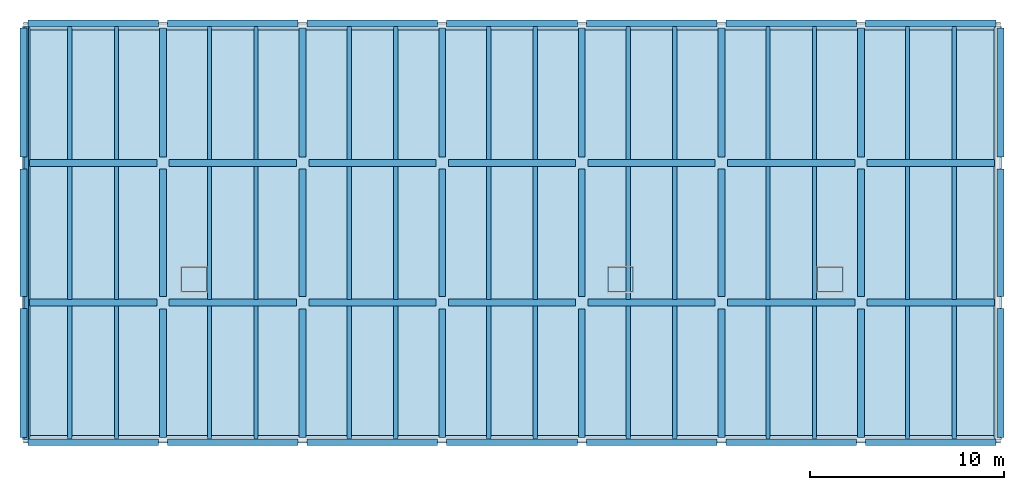
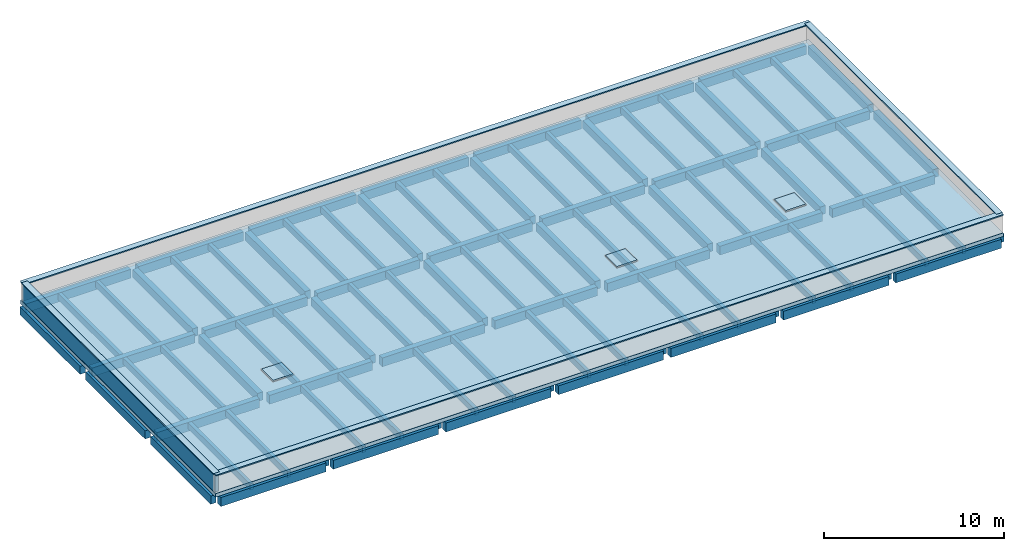
# One storey, part 1 of 2: 94 beams, 4 plates, 4 slabs, 1 wall, 3 openings.
"""IFC4 building model written with IfcOpenShell, lengths in metres."""

import ifcopenshell
import ifcopenshell.guid

model = None  # the IFC model being written
_history = None  # IfcOwnerHistory: only IFC2X3 demands one
_inside = {}  # id of a spatial element -> (the spatial element, [elements in it])
_under = {}  # id of a project, library or spatial element -> (it, [spatial elements below it])
_declared = {}  # id of a project -> (the project, [libraries it declares])
_typed = {}  # id of a type object -> (the type object, [elements of that type])
_made_of = {}  # id of a material, layer set ... -> (it, [elements and type objects made of it])


def new_model(schema):
    """Start an empty IFC model of exactly this schema.

    Asked for "IFC4X3", IfcOpenShell would pick the latest addendum, in which some entities
    have other attributes; the version numbers below select the first issue.
    IFC2X3 requires an IfcOwnerHistory on every rooted entity: one is made here for all.
    """
    global model, _history
    if schema == "IFC4X3":
        model = ifcopenshell.file(schema_version=(4, 3, 0, 0))
    else:
        model = ifcopenshell.file(schema=schema)
    _inside.clear()
    _under.clear()
    _declared.clear()
    _typed.clear()
    _made_of.clear()
    _history = None
    if model.schema == "IFC2X3":
        org = make("IfcOrganization", Name="unknown")
        user = make(
            "IfcPersonAndOrganization",
            ThePerson=make("IfcPerson", FamilyName="unknown"),
            TheOrganization=org,
        )
        app = make(
            "IfcApplication",
            ApplicationDeveloper=org,
            Version="unknown",
            ApplicationFullName="unknown",
            ApplicationIdentifier="unknown",
        )
        _history = make(
            "IfcOwnerHistory",
            OwningUser=user,
            OwningApplication=app,
            ChangeAction="ADDED",
            CreationDate=0,
        )
    return model


def make(cls, **values):
    """One entity of the class cls with the attributes given. An attribute that is None is left unset."""
    return model.create_entity(
        cls, **{name: value for name, value in values.items() if value is not None}
    )


def rooted(cls, **values):
    """An entity with a GlobalId (a new one), such as an element, a storey or a relation."""
    return make(cls, GlobalId=ifcopenshell.guid.new(), OwnerHistory=_history, **values)


def si_unit(unit_type, name, prefix=None):
    """IfcSIUnit, for example si_unit("LENGTHUNIT", "METRE", prefix="MILLI")."""
    return make("IfcSIUnit", UnitType=unit_type, Prefix=prefix, Name=name)


def assignment(units):
    """IfcUnitAssignment: the units of a project."""
    return None if units is None else make("IfcUnitAssignment", Units=units)


def point(xyz):
    """IfcCartesianPoint."""
    return None if xyz is None else make("IfcCartesianPoint", Coordinates=xyz)


def direction(xyz):
    """IfcDirection."""
    return None if xyz is None else make("IfcDirection", DirectionRatios=xyz)


def frame(location, z_axis=None, x_axis=None):
    """IfcAxis2Placement3D, a coordinate frame: its origin and axes. An axis left out is left unset."""
    return make(
        "IfcAxis2Placement3D",
        Location=point(location),
        Axis=direction(z_axis),
        RefDirection=direction(x_axis),
    )


def frame_2d(location, x_axis=None):
    """IfcAxis2Placement2D, a coordinate frame in the plane: its origin and x axis."""
    return make(
        "IfcAxis2Placement2D", Location=point(location), RefDirection=direction(x_axis)
    )


def origin():
    """The frame at (0, 0, 0) with its axes left unset."""
    return frame((0.0, 0.0, 0.0))


def origin_2d():
    """The frame at (0, 0) in the plane with its x axis left unset."""
    return frame_2d((0.0, 0.0))


def place(relative_to, where):
    """IfcLocalPlacement: puts the frame where relative to a parent placement (None: the world)."""
    return make(
        "IfcLocalPlacement", PlacementRelTo=relative_to, RelativePlacement=where
    )


def context(
    kind, dimensions, precision=None, world=None, true_north=None, identifier=None
):
    """IfcGeometricRepresentationContext, for example the 3D "Model" context."""
    return make(
        "IfcGeometricRepresentationContext",
        ContextIdentifier=identifier,
        ContextType=kind,
        CoordinateSpaceDimension=dimensions,
        Precision=precision,
        WorldCoordinateSystem=world,
        TrueNorth=true_north,
    )


def subcontext(parent, identifier, kind, view, scale=None):
    """IfcGeometricRepresentationSubContext, for example "Body" below "Model"."""
    return make(
        "IfcGeometricRepresentationSubContext",
        ContextIdentifier=identifier,
        ContextType=kind,
        ParentContext=parent,
        TargetScale=scale,
        TargetView=view,
    )


def project(units=None, contexts=None):
    """IfcProject with its units and contexts."""
    return rooted(
        "IfcProject",
        Name="project",
        RepresentationContexts=contexts,
        UnitsInContext=assignment(units),
    )


def spatial(cls, under=None, at=None, **own):
    """A site, building, storey or space (cls), placed at a placement, below another one or the project."""
    s = rooted(cls, ObjectPlacement=at, **own)
    if under is not None:
        _under.setdefault(under.id(), (under, []))[1].append(s)
    return s


def polyline(points):
    """IfcPolyline through the points."""
    return make("IfcPolyline", Points=[point(p) for p in points])


def profile(cls, at=None, kind="AREA", **sizes):
    """A parametric profile (cls). Its sizes go by their IFC names, for example OverallWidth=200.0."""
    return make(cls, ProfileType=kind, Position=at, **sizes)


def rectangle(**sizes):
    """IfcRectangleProfileDef."""
    return profile("IfcRectangleProfileDef", **sizes)


def outline(outer, holes=None, kind="AREA"):
    """IfcArbitraryClosedProfileDef: a profile drawn as a closed curve; with holes, ...WithVoids."""
    if holes is None:
        return make("IfcArbitraryClosedProfileDef", ProfileType=kind, OuterCurve=outer)
    return make(
        "IfcArbitraryProfileDefWithVoids",
        ProfileType=kind,
        OuterCurve=outer,
        InnerCurves=holes,
    )


def extrude(swept, where, along, depth):
    """IfcExtrudedAreaSolid: the profile swept, set in the frame where, extruded along a direction by depth."""
    return make(
        "IfcExtrudedAreaSolid",
        SweptArea=swept,
        Position=where,
        ExtrudedDirection=direction(along),
        Depth=depth,
    )


def shape(context_of_items, identifier, shape_type, items):
    """IfcShapeRepresentation: the items that make up one representation, for example the "Body"."""
    return make(
        "IfcShapeRepresentation",
        ContextOfItems=context_of_items,
        RepresentationIdentifier=identifier,
        RepresentationType=shape_type,
        Items=items,
    )


def material(Name=None, Category=None):
    """IfcMaterial."""
    return make("IfcMaterial", Name=Name, Category=Category)


def layer(
    of_material, thickness, ventilated=None, Name=None, Category=None, Priority=None
):
    """IfcMaterialLayer: one layer of a wall or slab, of a material (None: an air gap)."""
    return make(
        "IfcMaterialLayer",
        Material=of_material,
        LayerThickness=thickness,
        IsVentilated=ventilated,
        Name=Name,
        Category=Category,
        Priority=Priority,
    )


def layer_set(layers, Name=None):
    """IfcMaterialLayerSet."""
    return make("IfcMaterialLayerSet", MaterialLayers=layers, LayerSetName=Name)


def material_profile(
    of_material, cross_section, Name=None, Category=None, Priority=None
):
    """IfcMaterialProfile: a cross section and its material."""
    return make(
        "IfcMaterialProfile",
        Name=Name,
        Material=of_material,
        Profile=cross_section,
        Priority=Priority,
        Category=Category,
    )


def profile_set(profiles, Name=None, composite=None):
    """IfcMaterialProfileSet."""
    return make(
        "IfcMaterialProfileSet",
        Name=Name,
        MaterialProfiles=profiles,
        CompositeProfile=composite,
    )


def made_of(thing, what):
    """Note that an element or type object is made of a material, layer set ...; save() writes the relation."""
    if what is not None:
        _made_of.setdefault(what.id(), (what, []))[1].append(thing)
    return thing


def type_object(cls, material=None, **own):
    """A type object (cls), such as IfcWallType, which elements share."""
    return made_of(rooted(cls, **own), material)


def element(
    cls,
    number,
    at=None,
    inside=None,
    cuts=None,
    type_object=None,
    material=None,
    context=None,
    identifier="Body",
    shape_type=None,
    held_by="IfcProductDefinitionShape",
    body=None,
    shapes=None,
    **own,
):
    """One element of the class cls, such as IfcWall. Its Tag is "e" and its number.

    at: its placement. inside: the storey or other place that contains it. cuts: it is an
    opening in that element (IfcRelVoidsElement). A single representation is given by context,
    identifier, shape_type and body (its items); several are given by shapes. held_by: the class
    of the entity that holds the representations. save() writes the other relations.
    """
    e = rooted(cls, Tag="e%d" % number, ObjectPlacement=at, **own)
    if body is not None:
        shapes = [shape(context, identifier, shape_type, body)]
    if shapes is not None:
        e.Representation = make(held_by, Representations=shapes)
    if inside is not None:
        _inside.setdefault(inside.id(), (inside, []))[1].append(e)
    if cuts is not None:
        rooted(
            "IfcRelVoidsElement", RelatingBuildingElement=cuts, RelatedOpeningElement=e
        )
    if type_object is not None:
        _typed.setdefault(type_object.id(), (type_object, []))[1].append(e)
    return made_of(e, material)


def aggregate(whole, parts):
    """IfcRelAggregates: a whole, such as a stair, and the parts it consists of."""
    return rooted("IfcRelAggregates", RelatingObject=whole, RelatedObjects=parts)


def save(model, path):
    """Write the relations noted so far, then the file.

    IfcRelAggregates (storeys below a building ...), IfcRelContainedInSpatialStructure (elements
    in a storey), IfcRelDefinesByType, IfcRelAssociatesMaterial and IfcRelDeclares: one each for
    every whole, place, type object, material and project.
    """
    for whole, parts in _under.values():
        aggregate(whole, parts)
    for where, things in _inside.values():
        rooted(
            "IfcRelContainedInSpatialStructure",
            RelatedElements=things,
            RelatingStructure=where,
        )
    for kind, things in _typed.values():
        rooted("IfcRelDefinesByType", RelatedObjects=things, RelatingType=kind)
    for what, things in _made_of.values():
        rooted("IfcRelAssociatesMaterial", RelatedObjects=things, RelatingMaterial=what)
    for by, libraries in _declared.values():
        rooted("IfcRelDeclares", RelatingContext=by, RelatedDefinitions=libraries)
    model.write(path)


model = new_model("IFC4")

# Units and contexts
model_context = context("Model", 3, precision=1e-05, world=origin(), true_north=direction((0.0, 1.0)))
body_context = subcontext(model_context, "Body", "Model", "MODEL_VIEW")
ifc_project = project(units=[si_unit("LENGTHUNIT", "METRE"), si_unit("AREAUNIT", "SQUARE_METRE"), si_unit("VOLUMEUNIT", "CUBIC_METRE"), si_unit("PLANEANGLEUNIT", "RADIAN"), si_unit("MASSUNIT", "GRAM", prefix="KILO")], contexts=[model_context])

# Site, building, storey
site_placement = place(None, origin())
site = spatial("IfcSite", under=ifc_project, at=site_placement, CompositionType="ELEMENT")
building_placement = place(site_placement, origin())
building = spatial("IfcBuilding", under=site, at=building_placement, Name="Qiaolan Assembly House", CompositionType="ELEMENT")
storey_placement = place(building_placement, frame((0.0, 0.0, 34.199951171875)))
storey = spatial("IfcBuildingStorey", under=building, at=storey_placement, Name="RF", CompositionType="ELEMENT", Elevation=34.199951171875)

# Beams
ifc_material_1 = material(Name="Concrete C40/50", Category="concrete")
ifc_material_profile_1 = material_profile(ifc_material_1, rectangle(XDim=0.35009765625, YDim=0.550048828125, at=origin_2d()), Name="RCB 350x550")
ifc_profile_set_1 = profile_set([ifc_material_profile_1], Name="Concrete C40/50")
beam_type_1 = type_object("IfcBeamType", Name="BM-RC-350x550", PredefinedType="BEAM", material=ifc_profile_set_1)
beam_1_placement = place(storey_placement, frame((43.199951171875, 93.830078125, -0.52001953125), z_axis=(0.0, 1.0, 0.0), x_axis=(-1.0, 0.0, 0.0)))
element("IfcBeam", 1, at=beam_1_placement, inside=storey, type_object=beam_type_1, Name="GB-09 beam BMY-NW-RF-00-00", PredefinedType="BEAM", context=body_context, shape_type="SweptSolid", body=[
    extrude(rectangle(XDim=0.35009765625, YDim=0.550048828125, at=origin_2d()), origin(), (0.0, 0.0, 1.0), 6.655029296875),
])
beam_2_placement = place(storey_placement, frame((43.199951171875, 101.114990234375, -0.52001953125), z_axis=(0.0, 1.0, 0.0), x_axis=(-1.0, 0.0, 0.0)))
element("IfcBeam", 2, at=beam_2_placement, inside=storey, type_object=beam_type_1, Name="GB-09 beam BMY-NW-RF-00-01", PredefinedType="BEAM", context=body_context, shape_type="SweptSolid", body=[
    extrude(rectangle(XDim=0.35009765625, YDim=0.550048828125, at=origin_2d()), origin(), (0.0, 0.0, 1.0), 6.570068359375),
])
beam_3_placement = place(storey_placement, frame((43.199951171875, 108.31494140625, -0.52001953125), z_axis=(0.0, 1.0, 0.0), x_axis=(-1.0, 0.0, 0.0)))
element("IfcBeam", 3, at=beam_3_placement, inside=storey, type_object=beam_type_1, Name="GB-09 beam BMY-NW-RF-00-02", PredefinedType="BEAM", context=body_context, shape_type="SweptSolid", body=[
    extrude(rectangle(XDim=0.35009765625, YDim=0.550048828125, at=origin_2d()), origin(), (0.0, 0.0, 1.0), 6.655029296875),
])
beam_4_placement = place(storey_placement, frame((50.39990234375, 93.830078125, -0.52001953125), z_axis=(0.0, 1.0, 0.0), x_axis=(-1.0, 0.0, 0.0)))
element("IfcBeam", 4, at=beam_4_placement, inside=storey, type_object=beam_type_1, Name="GB-09 beam BMY-NW-RF-01-00", PredefinedType="BEAM", context=body_context, shape_type="SweptSolid", body=[
    extrude(rectangle(XDim=0.35009765625, YDim=0.550048828125, at=origin_2d()), origin(), (0.0, 0.0, 1.0), 6.64990234375),
])
beam_5_placement = place(storey_placement, frame((50.39990234375, 101.1201171875, -0.52001953125), z_axis=(0.0, 1.0, 0.0), x_axis=(-1.0, 0.0, 0.0)))
element("IfcBeam", 5, at=beam_5_placement, inside=storey, type_object=beam_type_1, Name="GB-09 beam BMY-NW-RF-01-01", PredefinedType="BEAM", context=body_context, shape_type="SweptSolid", body=[
    extrude(rectangle(XDim=0.35009765625, YDim=0.550048828125, at=origin_2d()), origin(), (0.0, 0.0, 1.0), 6.559814453125),
])
for number, where, z_axis, x_axis, name in (
    (6, (50.39990234375, 108.320068359375, -0.52001953125), (0.0, 1.0, 0.0), (-1.0, 0.0, 0.0), "GB-09 beam BMY-NW-RF-01-02"),
    (7, (57.60009765625, 93.830078125, -0.52001953125), (0.0, 1.0, 0.0), (-1.0, 0.0, 0.0), "GB-09 beam BMY-NW-RF-02-00"),
):
    element("IfcBeam", number, at=place(storey_placement, frame(where, z_axis=z_axis, x_axis=x_axis)), inside=storey, type_object=beam_type_1, Name=name, PredefinedType="BEAM", context=body_context, shape_type="SweptSolid", body=[
        extrude(rectangle(XDim=0.35009765625, YDim=0.550048828125, at=origin_2d()), origin(), (0.0, 0.0, 1.0), 6.64990234375),
    ])
beam_6_placement = place(storey_placement, frame((57.60009765625, 101.1201171875, -0.52001953125), z_axis=(0.0, 1.0, 0.0), x_axis=(-1.0, 0.0, 0.0)))
element("IfcBeam", 8, at=beam_6_placement, inside=storey, type_object=beam_type_1, Name="GB-09 beam BMY-NW-RF-02-01", PredefinedType="BEAM", context=body_context, shape_type="SweptSolid", body=[
    extrude(rectangle(XDim=0.35009765625, YDim=0.550048828125, at=origin_2d()), origin(), (0.0, 0.0, 1.0), 6.559814453125),
])
for number, where, z_axis, x_axis, name in (
    (9, (57.60009765625, 108.320068359375, -0.52001953125), (0.0, 1.0, 0.0), (-1.0, 0.0, 0.0), "GB-09 beam BMY-NW-RF-02-02"),
    (10, (64.800048828125, 93.830078125, -0.52001953125), (0.0, 1.0, 0.0), (-1.0, 0.0, 0.0), "GB-09 beam BMY-NW-RF-03-00"),
):
    element("IfcBeam", number, at=place(storey_placement, frame(where, z_axis=z_axis, x_axis=x_axis)), inside=storey, type_object=beam_type_1, Name=name, PredefinedType="BEAM", context=body_context, shape_type="SweptSolid", body=[
        extrude(rectangle(XDim=0.35009765625, YDim=0.550048828125, at=origin_2d()), origin(), (0.0, 0.0, 1.0), 6.64990234375),
    ])
beam_7_placement = place(storey_placement, frame((64.800048828125, 101.1201171875, -0.52001953125), z_axis=(0.0, 1.0, 0.0), x_axis=(-1.0, 0.0, 0.0)))
element("IfcBeam", 11, at=beam_7_placement, inside=storey, type_object=beam_type_1, Name="GB-09 beam BMY-NW-RF-03-01", PredefinedType="BEAM", context=body_context, shape_type="SweptSolid", body=[
    extrude(rectangle(XDim=0.35009765625, YDim=0.550048828125, at=origin_2d()), origin(), (0.0, 0.0, 1.0), 6.559814453125),
])
for number, where, z_axis, x_axis, name in (
    (12, (64.800048828125, 108.320068359375, -0.52001953125), (0.0, 1.0, 0.0), (-1.0, 0.0, 0.0), "GB-09 beam BMY-NW-RF-03-02"),
    (13, (72.0, 93.830078125, -0.52001953125), (0.0, 1.0, 0.0), (-1.0, 0.0, 0.0), "GB-09 beam BMY-NW-RF-04-00"),
):
    element("IfcBeam", number, at=place(storey_placement, frame(where, z_axis=z_axis, x_axis=x_axis)), inside=storey, type_object=beam_type_1, Name=name, PredefinedType="BEAM", context=body_context, shape_type="SweptSolid", body=[
        extrude(rectangle(XDim=0.35009765625, YDim=0.550048828125, at=origin_2d()), origin(), (0.0, 0.0, 1.0), 6.64990234375),
    ])
beam_8_placement = place(storey_placement, frame((72.0, 101.1201171875, -0.52001953125), z_axis=(0.0, 1.0, 0.0), x_axis=(-1.0, 0.0, 0.0)))
element("IfcBeam", 14, at=beam_8_placement, inside=storey, type_object=beam_type_1, Name="GB-09 beam BMY-NW-RF-04-01", PredefinedType="BEAM", context=body_context, shape_type="SweptSolid", body=[
    extrude(rectangle(XDim=0.35009765625, YDim=0.550048828125, at=origin_2d()), origin(), (0.0, 0.0, 1.0), 6.559814453125),
])
for number, where, z_axis, x_axis, name in (
    (15, (72.0, 108.320068359375, -0.52001953125), (0.0, 1.0, 0.0), (-1.0, 0.0, 0.0), "GB-09 beam BMY-NW-RF-04-02"),
    (16, (79.199951171875, 93.830078125, -0.52001953125), (0.0, 1.0, 0.0), (-1.0, 0.0, 0.0), "GB-09 beam BMY-NW-RF-05-00"),
):
    element("IfcBeam", number, at=place(storey_placement, frame(where, z_axis=z_axis, x_axis=x_axis)), inside=storey, type_object=beam_type_1, Name=name, PredefinedType="BEAM", context=body_context, shape_type="SweptSolid", body=[
        extrude(rectangle(XDim=0.35009765625, YDim=0.550048828125, at=origin_2d()), origin(), (0.0, 0.0, 1.0), 6.64990234375),
    ])
beam_9_placement = place(storey_placement, frame((79.199951171875, 101.1201171875, -0.52001953125), z_axis=(0.0, 1.0, 0.0), x_axis=(-1.0, 0.0, 0.0)))
element("IfcBeam", 17, at=beam_9_placement, inside=storey, type_object=beam_type_1, Name="GB-09 beam BMY-NW-RF-05-01", PredefinedType="BEAM", context=body_context, shape_type="SweptSolid", body=[
    extrude(rectangle(XDim=0.35009765625, YDim=0.550048828125, at=origin_2d()), origin(), (0.0, 0.0, 1.0), 6.559814453125),
])
for number, where, z_axis, x_axis, name in (
    (18, (79.199951171875, 108.320068359375, -0.52001953125), (0.0, 1.0, 0.0), (-1.0, 0.0, 0.0), "GB-09 beam BMY-NW-RF-05-02"),
    (19, (86.39990234375, 93.830078125, -0.52001953125), (0.0, 1.0, 0.0), (-1.0, 0.0, 0.0), "GB-09 beam BMY-NW-RF-06-00"),
):
    element("IfcBeam", number, at=place(storey_placement, frame(where, z_axis=z_axis, x_axis=x_axis)), inside=storey, type_object=beam_type_1, Name=name, PredefinedType="BEAM", context=body_context, shape_type="SweptSolid", body=[
        extrude(rectangle(XDim=0.35009765625, YDim=0.550048828125, at=origin_2d()), origin(), (0.0, 0.0, 1.0), 6.64990234375),
    ])
beam_10_placement = place(storey_placement, frame((86.39990234375, 101.1201171875, -0.52001953125), z_axis=(0.0, 1.0, 0.0), x_axis=(-1.0, 0.0, 0.0)))
element("IfcBeam", 20, at=beam_10_placement, inside=storey, type_object=beam_type_1, Name="GB-09 beam BMY-NW-RF-06-01", PredefinedType="BEAM", context=body_context, shape_type="SweptSolid", body=[
    extrude(rectangle(XDim=0.35009765625, YDim=0.550048828125, at=origin_2d()), origin(), (0.0, 0.0, 1.0), 6.559814453125),
])
beam_11_placement = place(storey_placement, frame((86.39990234375, 108.320068359375, -0.52001953125), z_axis=(0.0, 1.0, 0.0), x_axis=(-1.0, 0.0, 0.0)))
element("IfcBeam", 21, at=beam_11_placement, inside=storey, type_object=beam_type_1, Name="GB-09 beam BMY-NW-RF-06-02", PredefinedType="BEAM", context=body_context, shape_type="SweptSolid", body=[
    extrude(rectangle(XDim=0.35009765625, YDim=0.550048828125, at=origin_2d()), origin(), (0.0, 0.0, 1.0), 6.64990234375),
])
beam_12_placement = place(storey_placement, frame((93.60009765625, 93.830078125, -0.52001953125), z_axis=(0.0, 1.0, 0.0), x_axis=(-1.0, 0.0, 0.0)))
element("IfcBeam", 22, at=beam_12_placement, inside=storey, type_object=beam_type_1, Name="GB-09 beam BMY-NW-RF-07-00", PredefinedType="BEAM", context=body_context, shape_type="SweptSolid", body=[
    extrude(rectangle(XDim=0.35009765625, YDim=0.550048828125, at=origin_2d()), origin(), (0.0, 0.0, 1.0), 6.655029296875),
])
beam_13_placement = place(storey_placement, frame((93.60009765625, 101.114990234375, -0.52001953125), z_axis=(0.0, 1.0, 0.0), x_axis=(-1.0, 0.0, 0.0)))
element("IfcBeam", 23, at=beam_13_placement, inside=storey, type_object=beam_type_1, Name="GB-09 beam BMY-NW-RF-07-01", PredefinedType="BEAM", context=body_context, shape_type="SweptSolid", body=[
    extrude(rectangle(XDim=0.35009765625, YDim=0.550048828125, at=origin_2d()), origin(), (0.0, 0.0, 1.0), 6.570068359375),
])
beam_14_placement = place(storey_placement, frame((93.60009765625, 108.31494140625, -0.52001953125), z_axis=(0.0, 1.0, 0.0), x_axis=(-1.0, 0.0, 0.0)))
element("IfcBeam", 24, at=beam_14_placement, inside=storey, type_object=beam_type_1, Name="GB-09 beam BMY-NW-RF-07-02", PredefinedType="BEAM", context=body_context, shape_type="SweptSolid", body=[
    extrude(rectangle(XDim=0.35009765625, YDim=0.550048828125, at=origin_2d()), origin(), (0.0, 0.0, 1.0), 6.655029296875),
])
ifc_material_profile_2 = material_profile(ifc_material_1, rectangle(XDim=0.35009765625, YDim=0.60009765625, at=origin_2d()), Name="RCB 350x600")
ifc_profile_set_2 = profile_set([ifc_material_profile_2], Name="Concrete C40/50")
beam_type_2 = type_object("IfcBeamType", Name="BM-RC-350x600", PredefinedType="BEAM", material=ifc_profile_set_2)
beam_15_placement = place(storey_placement, frame((43.429931640625, 93.60009765625, -0.544921875), z_axis=(1.0, 0.0, 0.0), x_axis=(0.0, 1.0, 0.0)))
element("IfcBeam", 25, at=beam_15_placement, inside=storey, type_object=beam_type_2, Name="GB-08 beam BMX-NW-RF-00-00", PredefinedType="BEAM", context=body_context, shape_type="SweptSolid", body=[
    extrude(rectangle(XDim=0.35009765625, YDim=0.60009765625, at=origin_2d()), origin(), (0.0, 0.0, 1.0), 6.739990234375),
])
beam_16_placement = place(storey_placement, frame((50.6298828125, 93.60009765625, -0.544921875), z_axis=(1.0, 0.0, 0.0), x_axis=(0.0, 1.0, 0.0)))
element("IfcBeam", 26, at=beam_16_placement, inside=storey, type_object=beam_type_2, Name="GB-08 beam BMX-NW-RF-01-00", PredefinedType="BEAM", context=body_context, shape_type="SweptSolid", body=[
    extrude(rectangle(XDim=0.35009765625, YDim=0.60009765625, at=origin_2d()), origin(), (0.0, 0.0, 1.0), 6.740234375),
])
for number, where, z_axis, x_axis, name in (
    (27, (57.830078125, 93.60009765625, -0.544921875), (1.0, 0.0, 0.0), (0.0, 1.0, 0.0), "GB-08 beam BMX-NW-RF-02-00"),
    (28, (65.030029296875, 93.60009765625, -0.544921875), (1.0, 0.0, 0.0), (0.0, 1.0, 0.0), "GB-08 beam BMX-NW-RF-03-00"),
    (29, (72.22998046875, 93.60009765625, -0.544921875), (1.0, 0.0, 0.0), (0.0, 1.0, 0.0), "GB-08 beam BMX-NW-RF-04-00"),
    (30, (79.429931640625, 93.60009765625, -0.544921875), (1.0, 0.0, 0.0), (0.0, 1.0, 0.0), "GB-08 beam BMX-NW-RF-05-00"),
):
    element("IfcBeam", number, at=place(storey_placement, frame(where, z_axis=z_axis, x_axis=x_axis)), inside=storey, type_object=beam_type_2, Name=name, PredefinedType="BEAM", context=body_context, shape_type="SweptSolid", body=[
        extrude(rectangle(XDim=0.35009765625, YDim=0.60009765625, at=origin_2d()), origin(), (0.0, 0.0, 1.0), 6.739990234375),
    ])
beam_17_placement = place(storey_placement, frame((86.6298828125, 93.60009765625, -0.544921875), z_axis=(1.0, 0.0, 0.0), x_axis=(0.0, 1.0, 0.0)))
element("IfcBeam", 31, at=beam_17_placement, inside=storey, type_object=beam_type_2, Name="GB-08 beam BMX-NW-RF-06-00", PredefinedType="BEAM", context=body_context, shape_type="SweptSolid", body=[
    extrude(rectangle(XDim=0.35009765625, YDim=0.60009765625, at=origin_2d()), origin(), (0.0, 0.0, 1.0), 6.740234375),
])
beam_18_placement = place(storey_placement, frame((43.514892578125, 100.800048828125, -0.544921875), z_axis=(1.0, 0.0, 0.0), x_axis=(0.0, 1.0, 0.0)))
element("IfcBeam", 32, at=beam_18_placement, inside=storey, type_object=beam_type_2, Name="GB-08 beam BMX-NW-RF-00-01", PredefinedType="BEAM", context=body_context, shape_type="SweptSolid", body=[
    extrude(rectangle(XDim=0.35009765625, YDim=0.60009765625, at=origin_2d()), origin(), (0.0, 0.0, 1.0), 6.565185546875),
])
for number, where, z_axis, x_axis, name in (
    (33, (50.719970703125, 100.800048828125, -0.544921875), (1.0, 0.0, 0.0), (0.0, 1.0, 0.0), "GB-08 beam BMX-NW-RF-01-01"),
    (34, (57.919921875, 100.800048828125, -0.544921875), (1.0, 0.0, 0.0), (0.0, 1.0, 0.0), "GB-08 beam BMX-NW-RF-02-01"),
):
    element("IfcBeam", number, at=place(storey_placement, frame(where, z_axis=z_axis, x_axis=x_axis)), inside=storey, type_object=beam_type_2, Name=name, PredefinedType="BEAM", context=body_context, shape_type="SweptSolid", body=[
        extrude(rectangle(XDim=0.35009765625, YDim=0.60009765625, at=origin_2d()), origin(), (0.0, 0.0, 1.0), 6.56005859375),
    ])
for number, where, z_axis, x_axis, name in (
    (35, (65.1201171875, 100.800048828125, -0.544921875), (1.0, 0.0, 0.0), (0.0, 1.0, 0.0), "GB-08 beam BMX-NW-RF-03-01"),
    (36, (72.320068359375, 100.800048828125, -0.544921875), (1.0, 0.0, 0.0), (0.0, 1.0, 0.0), "GB-08 beam BMX-NW-RF-04-01"),
):
    element("IfcBeam", number, at=place(storey_placement, frame(where, z_axis=z_axis, x_axis=x_axis)), inside=storey, type_object=beam_type_2, Name=name, PredefinedType="BEAM", context=body_context, shape_type="SweptSolid", body=[
        extrude(rectangle(XDim=0.35009765625, YDim=0.60009765625, at=origin_2d()), origin(), (0.0, 0.0, 1.0), 6.559814453125),
    ])
beam_19_placement = place(storey_placement, frame((79.52001953125, 100.800048828125, -0.544921875), z_axis=(1.0, 0.0, 0.0), x_axis=(0.0, 1.0, 0.0)))
element("IfcBeam", 37, at=beam_19_placement, inside=storey, type_object=beam_type_2, Name="GB-08 beam BMX-NW-RF-05-01", PredefinedType="BEAM", context=body_context, shape_type="SweptSolid", body=[
    extrude(rectangle(XDim=0.35009765625, YDim=0.60009765625, at=origin_2d()), origin(), (0.0, 0.0, 1.0), 6.56005859375),
])
beam_20_placement = place(storey_placement, frame((86.719970703125, 100.800048828125, -0.544921875), z_axis=(1.0, 0.0, 0.0), x_axis=(0.0, 1.0, 0.0)))
element("IfcBeam", 38, at=beam_20_placement, inside=storey, type_object=beam_type_2, Name="GB-08 beam BMX-NW-RF-06-01", PredefinedType="BEAM", context=body_context, shape_type="SweptSolid", body=[
    extrude(rectangle(XDim=0.35009765625, YDim=0.60009765625, at=origin_2d()), origin(), (0.0, 0.0, 1.0), 6.56494140625),
])
beam_21_placement = place(storey_placement, frame((43.514892578125, 108.0, -0.544921875), z_axis=(1.0, 0.0, 0.0), x_axis=(0.0, 1.0, 0.0)))
element("IfcBeam", 39, at=beam_21_placement, inside=storey, type_object=beam_type_2, Name="GB-08 beam BMX-NW-RF-00-02", PredefinedType="BEAM", context=body_context, shape_type="SweptSolid", body=[
    extrude(rectangle(XDim=0.35009765625, YDim=0.60009765625, at=origin_2d()), origin(), (0.0, 0.0, 1.0), 6.565185546875),
])
for number, where, z_axis, x_axis, name in (
    (40, (50.719970703125, 108.0, -0.544921875), (1.0, 0.0, 0.0), (0.0, 1.0, 0.0), "GB-08 beam BMX-NW-RF-01-02"),
    (41, (57.919921875, 108.0, -0.544921875), (1.0, 0.0, 0.0), (0.0, 1.0, 0.0), "GB-08 beam BMX-NW-RF-02-02"),
):
    element("IfcBeam", number, at=place(storey_placement, frame(where, z_axis=z_axis, x_axis=x_axis)), inside=storey, type_object=beam_type_2, Name=name, PredefinedType="BEAM", context=body_context, shape_type="SweptSolid", body=[
        extrude(rectangle(XDim=0.35009765625, YDim=0.60009765625, at=origin_2d()), origin(), (0.0, 0.0, 1.0), 6.56005859375),
    ])
for number, where, z_axis, x_axis, name in (
    (42, (65.1201171875, 108.0, -0.544921875), (1.0, 0.0, 0.0), (0.0, 1.0, 0.0), "GB-08 beam BMX-NW-RF-03-02"),
    (43, (72.320068359375, 108.0, -0.544921875), (1.0, 0.0, 0.0), (0.0, 1.0, 0.0), "GB-08 beam BMX-NW-RF-04-02"),
):
    element("IfcBeam", number, at=place(storey_placement, frame(where, z_axis=z_axis, x_axis=x_axis)), inside=storey, type_object=beam_type_2, Name=name, PredefinedType="BEAM", context=body_context, shape_type="SweptSolid", body=[
        extrude(rectangle(XDim=0.35009765625, YDim=0.60009765625, at=origin_2d()), origin(), (0.0, 0.0, 1.0), 6.559814453125),
    ])
beam_22_placement = place(storey_placement, frame((79.52001953125, 108.0, -0.544921875), z_axis=(1.0, 0.0, 0.0), x_axis=(0.0, 1.0, 0.0)))
element("IfcBeam", 44, at=beam_22_placement, inside=storey, type_object=beam_type_2, Name="GB-08 beam BMX-NW-RF-05-02", PredefinedType="BEAM", context=body_context, shape_type="SweptSolid", body=[
    extrude(rectangle(XDim=0.35009765625, YDim=0.60009765625, at=origin_2d()), origin(), (0.0, 0.0, 1.0), 6.56005859375),
])
beam_23_placement = place(storey_placement, frame((86.719970703125, 108.0, -0.544921875), z_axis=(1.0, 0.0, 0.0), x_axis=(0.0, 1.0, 0.0)))
element("IfcBeam", 45, at=beam_23_placement, inside=storey, type_object=beam_type_2, Name="GB-08 beam BMX-NW-RF-06-02", PredefinedType="BEAM", context=body_context, shape_type="SweptSolid", body=[
    extrude(rectangle(XDim=0.35009765625, YDim=0.60009765625, at=origin_2d()), origin(), (0.0, 0.0, 1.0), 6.56494140625),
])
beam_24_placement = place(storey_placement, frame((43.429931640625, 115.199951171875, -0.544921875), z_axis=(1.0, 0.0, 0.0), x_axis=(0.0, 1.0, 0.0)))
element("IfcBeam", 46, at=beam_24_placement, inside=storey, type_object=beam_type_2, Name="GB-08 beam BMX-NW-RF-00-03", PredefinedType="BEAM", context=body_context, shape_type="SweptSolid", body=[
    extrude(rectangle(XDim=0.35009765625, YDim=0.60009765625, at=origin_2d()), origin(), (0.0, 0.0, 1.0), 6.739990234375),
])
beam_25_placement = place(storey_placement, frame((50.6298828125, 115.199951171875, -0.544921875), z_axis=(1.0, 0.0, 0.0), x_axis=(0.0, 1.0, 0.0)))
element("IfcBeam", 47, at=beam_25_placement, inside=storey, type_object=beam_type_2, Name="GB-08 beam BMX-NW-RF-01-03", PredefinedType="BEAM", context=body_context, shape_type="SweptSolid", body=[
    extrude(rectangle(XDim=0.35009765625, YDim=0.60009765625, at=origin_2d()), origin(), (0.0, 0.0, 1.0), 6.740234375),
])
for number, where, z_axis, x_axis, name in (
    (48, (57.830078125, 115.199951171875, -0.544921875), (1.0, 0.0, 0.0), (0.0, 1.0, 0.0), "GB-08 beam BMX-NW-RF-02-03"),
    (49, (65.030029296875, 115.199951171875, -0.544921875), (1.0, 0.0, 0.0), (0.0, 1.0, 0.0), "GB-08 beam BMX-NW-RF-03-03"),
    (50, (72.22998046875, 115.199951171875, -0.544921875), (1.0, 0.0, 0.0), (0.0, 1.0, 0.0), "GB-08 beam BMX-NW-RF-04-03"),
    (51, (79.429931640625, 115.199951171875, -0.544921875), (1.0, 0.0, 0.0), (0.0, 1.0, 0.0), "GB-08 beam BMX-NW-RF-05-03"),
):
    element("IfcBeam", number, at=place(storey_placement, frame(where, z_axis=z_axis, x_axis=x_axis)), inside=storey, type_object=beam_type_2, Name=name, PredefinedType="BEAM", context=body_context, shape_type="SweptSolid", body=[
        extrude(rectangle(XDim=0.35009765625, YDim=0.60009765625, at=origin_2d()), origin(), (0.0, 0.0, 1.0), 6.739990234375),
    ])
beam_26_placement = place(storey_placement, frame((86.6298828125, 115.199951171875, -0.544921875), z_axis=(1.0, 0.0, 0.0), x_axis=(0.0, 1.0, 0.0)))
element("IfcBeam", 52, at=beam_26_placement, inside=storey, type_object=beam_type_2, Name="GB-08 beam BMX-NW-RF-06-03", PredefinedType="BEAM", context=body_context, shape_type="SweptSolid", body=[
    extrude(rectangle(XDim=0.35009765625, YDim=0.60009765625, at=origin_2d()), origin(), (0.0, 0.0, 1.0), 6.740234375),
])
ifc_material_profile_3 = material_profile(ifc_material_1, rectangle(XDim=0.22509765625, YDim=0.425048828125, at=origin_2d()), Name="RCB 225x425")
ifc_profile_set_3 = profile_set([ifc_material_profile_3], Name="Concrete C40/50")
beam_type_3 = type_object("IfcBeamType", Name="JST-RC-225x425", PredefinedType="JOIST", material=ifc_profile_set_3)
for number, where, z_axis, x_axis, name in (
    (53, (45.60009765625, 93.76904296875, -0.45751953125), (0.0, 1.0, 0.0), (-1.0, 0.0, 0.0), "RJ-06 beam JST-NW-RF-00-00-1"),
    (54, (48.0, 93.76904296875, -0.45751953125), (0.0, 1.0, 0.0), (-1.0, 0.0, 0.0), "RJ-06 beam JST-NW-RF-00-00-2"),
    (55, (45.60009765625, 100.968994140625, -0.45751953125), (0.0, 1.0, 0.0), (-1.0, 0.0, 0.0), "RJ-06 beam JST-NW-RF-00-01-1"),
    (56, (48.0, 100.968994140625, -0.45751953125), (0.0, 1.0, 0.0), (-1.0, 0.0, 0.0), "RJ-06 beam JST-NW-RF-00-01-2"),
    (57, (45.60009765625, 108.1689453125, -0.45751953125), (0.0, 1.0, 0.0), (-1.0, 0.0, 0.0), "RJ-06 beam JST-NW-RF-00-02-1"),
    (58, (48.0, 108.1689453125, -0.45751953125), (0.0, 1.0, 0.0), (-1.0, 0.0, 0.0), "RJ-06 beam JST-NW-RF-00-02-2"),
    (59, (52.800048828125, 93.76904296875, -0.45751953125), (0.0, 1.0, 0.0), (-1.0, 0.0, 0.0), "RJ-06 beam JST-NW-RF-01-00-1"),
    (60, (55.199951171875, 93.76904296875, -0.45751953125), (0.0, 1.0, 0.0), (-1.0, 0.0, 0.0), "RJ-06 beam JST-NW-RF-01-00-2"),
    (61, (52.800048828125, 100.968994140625, -0.45751953125), (0.0, 1.0, 0.0), (-1.0, 0.0, 0.0), "RJ-06 beam JST-NW-RF-01-01-1"),
    (62, (55.199951171875, 100.968994140625, -0.45751953125), (0.0, 1.0, 0.0), (-1.0, 0.0, 0.0), "RJ-06 beam JST-NW-RF-01-01-2"),
    (63, (52.800048828125, 108.1689453125, -0.45751953125), (0.0, 1.0, 0.0), (-1.0, 0.0, 0.0), "RJ-06 beam JST-NW-RF-01-02-1"),
    (64, (55.199951171875, 108.1689453125, -0.45751953125), (0.0, 1.0, 0.0), (-1.0, 0.0, 0.0), "RJ-06 beam JST-NW-RF-01-02-2"),
    (65, (60.0, 93.76904296875, -0.45751953125), (0.0, 1.0, 0.0), (-1.0, 0.0, 0.0), "RJ-06 beam JST-NW-RF-02-00-1"),
    (66, (62.39990234375, 93.76904296875, -0.45751953125), (0.0, 1.0, 0.0), (-1.0, 0.0, 0.0), "RJ-06 beam JST-NW-RF-02-00-2"),
    (67, (60.0, 100.968994140625, -0.45751953125), (0.0, 1.0, 0.0), (-1.0, 0.0, 0.0), "RJ-06 beam JST-NW-RF-02-01-1"),
    (68, (62.39990234375, 100.968994140625, -0.45751953125), (0.0, 1.0, 0.0), (-1.0, 0.0, 0.0), "RJ-06 beam JST-NW-RF-02-01-2"),
    (69, (60.0, 108.1689453125, -0.45751953125), (0.0, 1.0, 0.0), (-1.0, 0.0, 0.0), "RJ-06 beam JST-NW-RF-02-02-1"),
    (70, (62.39990234375, 108.1689453125, -0.45751953125), (0.0, 1.0, 0.0), (-1.0, 0.0, 0.0), "RJ-06 beam JST-NW-RF-02-02-2"),
    (71, (67.199951171875, 93.76904296875, -0.45751953125), (0.0, 1.0, 0.0), (-1.0, 0.0, 0.0), "RJ-06 beam JST-NW-RF-03-00-1"),
    (72, (69.60009765625, 93.76904296875, -0.45751953125), (0.0, 1.0, 0.0), (-1.0, 0.0, 0.0), "RJ-06 beam JST-NW-RF-03-00-2"),
    (73, (67.199951171875, 100.968994140625, -0.45751953125), (0.0, 1.0, 0.0), (-1.0, 0.0, 0.0), "RJ-06 beam JST-NW-RF-03-01-1"),
    (74, (69.60009765625, 100.968994140625, -0.45751953125), (0.0, 1.0, 0.0), (-1.0, 0.0, 0.0), "RJ-06 beam JST-NW-RF-03-01-2"),
    (75, (67.199951171875, 108.1689453125, -0.45751953125), (0.0, 1.0, 0.0), (-1.0, 0.0, 0.0), "RJ-06 beam JST-NW-RF-03-02-1"),
    (76, (69.60009765625, 108.1689453125, -0.45751953125), (0.0, 1.0, 0.0), (-1.0, 0.0, 0.0), "RJ-06 beam JST-NW-RF-03-02-2"),
    (77, (74.39990234375, 93.76904296875, -0.45751953125), (0.0, 1.0, 0.0), (-1.0, 0.0, 0.0), "RJ-06 beam JST-NW-RF-04-00-1"),
    (78, (76.800048828125, 93.76904296875, -0.45751953125), (0.0, 1.0, 0.0), (-1.0, 0.0, 0.0), "RJ-06 beam JST-NW-RF-04-00-2"),
    (79, (74.39990234375, 100.968994140625, -0.45751953125), (0.0, 1.0, 0.0), (-1.0, 0.0, 0.0), "RJ-06 beam JST-NW-RF-04-01-1"),
    (80, (76.800048828125, 100.968994140625, -0.45751953125), (0.0, 1.0, 0.0), (-1.0, 0.0, 0.0), "RJ-06 beam JST-NW-RF-04-01-2"),
    (81, (74.39990234375, 108.1689453125, -0.45751953125), (0.0, 1.0, 0.0), (-1.0, 0.0, 0.0), "RJ-06 beam JST-NW-RF-04-02-1"),
    (82, (76.800048828125, 108.1689453125, -0.45751953125), (0.0, 1.0, 0.0), (-1.0, 0.0, 0.0), "RJ-06 beam JST-NW-RF-04-02-2"),
    (83, (81.60009765625, 93.76904296875, -0.45751953125), (0.0, 1.0, 0.0), (-1.0, 0.0, 0.0), "RJ-06 beam JST-NW-RF-05-00-1"),
    (84, (84.0, 93.76904296875, -0.45751953125), (0.0, 1.0, 0.0), (-1.0, 0.0, 0.0), "RJ-06 beam JST-NW-RF-05-00-2"),
    (85, (81.60009765625, 100.968994140625, -0.45751953125), (0.0, 1.0, 0.0), (-1.0, 0.0, 0.0), "RJ-06 beam JST-NW-RF-05-01-1"),
    (86, (84.0, 100.968994140625, -0.45751953125), (0.0, 1.0, 0.0), (-1.0, 0.0, 0.0), "RJ-06 beam JST-NW-RF-05-01-2"),
    (87, (81.60009765625, 108.1689453125, -0.45751953125), (0.0, 1.0, 0.0), (-1.0, 0.0, 0.0), "RJ-06 beam JST-NW-RF-05-02-1"),
    (88, (84.0, 108.1689453125, -0.45751953125), (0.0, 1.0, 0.0), (-1.0, 0.0, 0.0), "RJ-06 beam JST-NW-RF-05-02-2"),
    (89, (88.800048828125, 93.76904296875, -0.45751953125), (0.0, 1.0, 0.0), (-1.0, 0.0, 0.0), "RJ-06 beam JST-NW-RF-06-00-1"),
    (90, (91.199951171875, 93.76904296875, -0.45751953125), (0.0, 1.0, 0.0), (-1.0, 0.0, 0.0), "RJ-06 beam JST-NW-RF-06-00-2"),
    (91, (88.800048828125, 100.968994140625, -0.45751953125), (0.0, 1.0, 0.0), (-1.0, 0.0, 0.0), "RJ-06 beam JST-NW-RF-06-01-1"),
    (92, (91.199951171875, 100.968994140625, -0.45751953125), (0.0, 1.0, 0.0), (-1.0, 0.0, 0.0), "RJ-06 beam JST-NW-RF-06-01-2"),
    (93, (88.800048828125, 108.1689453125, -0.45751953125), (0.0, 1.0, 0.0), (-1.0, 0.0, 0.0), "RJ-06 beam JST-NW-RF-06-02-1"),
    (94, (91.199951171875, 108.1689453125, -0.45751953125), (0.0, 1.0, 0.0), (-1.0, 0.0, 0.0), "RJ-06 beam JST-NW-RF-06-02-2"),
):
    element("IfcBeam", number, at=place(storey_placement, frame(where, z_axis=z_axis, x_axis=x_axis)), inside=storey, type_object=beam_type_3, Name=name, PredefinedType="JOIST", context=body_context, shape_type="SweptSolid", body=[
        extrude(rectangle(XDim=0.22509765625, YDim=0.425048828125, at=origin_2d()), origin(), (0.0, 0.0, 1.0), 6.862060546875),
    ])

# Plates
ifc_material_2 = material(Name="Honed pale limestone", Category="masonry")
ifc_layer_1 = layer(ifc_material_2, 0.074951171875)
ifc_layer_set_1 = layer_set([ifc_layer_1], Name="Honed pale limestone")
plate_type = type_object("IfcPlateType", Name="PLT-COPING-STONE-380", PredefinedType="SHEET", material=ifc_layer_set_1)
for number, where, z_axis, x_axis, name in (
    (95, (43.199951171875, 115.050048828125, 1.199951171875), (0.0, 0.0, 1.0), (1.0, 0.0, 0.0), "CP-01 carved limestone parapet coping PAR-NW-RF-N"),
    (96, (93.60009765625, 93.75, 1.199951171875), (0.0, 0.0, 1.0), (-1.0, 0.0, 0.0), "CP-01 carved limestone parapet coping PAR-NW-RF-S"),
):
    element("IfcPlate", number, at=place(storey_placement, frame(where, z_axis=z_axis, x_axis=x_axis)), inside=storey, type_object=plate_type, Name=name, PredefinedType="SHEET", context=body_context, shape_type="SweptSolid", body=[
        extrude(rectangle(XDim=50.400146484375, YDim=0.3798828125, at=frame_2d((25.2001953125, 0.0))), origin(), (0.0, 0.0, 1.0), 0.0751953125),
    ])
for number, where, z_axis, x_axis, name in (
    (97, (43.35009765625, 93.75, 1.199951171875), (0.0, 0.0, 1.0), (0.0, 1.0, 0.0), "CP-01 carved limestone parapet coping PAR-NW-RF-W"),
    (98, (93.449951171875, 115.050048828125, 1.199951171875), (0.0, 0.0, 1.0), (0.0, -1.0, 0.0), "CP-01 carved limestone parapet coping PAR-NW-RF-E"),
):
    element("IfcPlate", number, at=place(storey_placement, frame(where, z_axis=z_axis, x_axis=x_axis)), inside=storey, type_object=plate_type, Name=name, PredefinedType="SHEET", context=body_context, shape_type="SweptSolid", body=[
        extrude(rectangle(XDim=21.300048828125, YDim=0.3798828125, at=frame_2d((10.64990234375, 0.0))), origin(), (0.0, 0.0, 1.0), 0.0751953125),
    ])

# Slabs
ifc_material_3 = material(Name="Anodised bronze aluminium", Category="aluminium")
ifc_layer_2 = layer(ifc_material_3, 0.10009765625)
ifc_layer_set_2 = layer_set([ifc_layer_2], Name="Anodised bronze aluminium")
slab_type_1 = type_object("IfcSlabType", Name="SLB-HATCH-ROOF", PredefinedType="ROOF", material=ifc_layer_set_2)
for number, where, z_axis, x_axis, name in (
    (99, (52.0, 102.0, 0.0), (0.0, 0.0, 1.0), (1.0, 0.0, 0.0), "RH-01 roof access hatch HTH-RF-1"),
    (100, (74.0, 102.0, 0.0), (0.0, 0.0, 1.0), (1.0, 0.0, 0.0), "RH-01 roof access hatch HTH-RF-2"),
    (101, (84.800048828125, 102.0, 0.0), (0.0, 0.0, 1.0), (1.0, 0.0, 0.0), "RH-01 roof access hatch HTH-RF-3"),
):
    element("IfcSlab", number, at=place(storey_placement, frame(where, z_axis=z_axis, x_axis=x_axis)), inside=storey, type_object=slab_type_1, Name=name, PredefinedType="ROOF", context=body_context, shape_type="SweptSolid", body=[
        extrude(rectangle(XDim=1.280029296875, YDim=1.280029296875, at=origin_2d()), origin(), (0.0, 0.0, 1.0), 0.10009765625),
    ])

# Slab, openings
ifc_layer_3 = layer(ifc_material_1, 0.2451171875)
ifc_layer_set_3 = layer_set([ifc_layer_3], Name="Concrete C40/50")
slab_type_2 = type_object("IfcSlabType", Name="SLB-ROOF-MAIN-245", PredefinedType="ROOF", material=ifc_layer_set_3)
slab_placement = place(storey_placement, frame((0.0, 0.0, -0.244873046875)))
slab = element("IfcSlab", 102, at=slab_placement, inside=storey, type_object=slab_type_2, Name="RS-01 North-West Wing Roof Slab RF", PredefinedType="ROOF", context=body_context, shape_type="SweptSolid", body=[
    extrude(outline(polyline([(43.199951171875, 93.60009765625), (93.60009765625, 93.60009765625), (93.60009765625, 115.199951171875), (43.199951171875, 115.199951171875), (43.199951171875, 93.60009765625)]), holes=[polyline([(51.4599609375, 101.4599609375), (51.4599609375, 102.5400390625), (52.5400390625, 102.5400390625), (52.5400390625, 101.4599609375), (51.4599609375, 101.4599609375)]), polyline([(73.4599609375, 101.4599609375), (73.4599609375, 102.5400390625), (74.5400390625, 102.5400390625), (74.5400390625, 101.4599609375), (73.4599609375, 101.4599609375)]), polyline([(84.260009765625, 101.4599609375), (84.260009765625, 102.5400390625), (85.340087890625, 102.5400390625), (85.340087890625, 101.4599609375), (84.260009765625, 101.4599609375)])]), origin(), (0.0, 0.0, 1.0), 0.244873046875),
])
opening_1_placement = place(storey_placement, frame((52.0, 102.0, -0.25)))
element("IfcOpeningElement", 103, at=opening_1_placement, cuts=slab, Name="Roof hatch slab opening HTH-RF-1", PredefinedType="OPENING", context=body_context, shape_type="SweptSolid", body=[
    extrude(rectangle(XDim=1.08, YDim=1.08, at=origin_2d()), frame((0.0, 0.0, -0.050048828125)), (0.0, 0.0, 1.0), 0.35009765625),
])
opening_2_placement = place(storey_placement, frame((74.0, 102.0, -0.25)))
element("IfcOpeningElement", 104, at=opening_2_placement, cuts=slab, Name="Roof hatch slab opening HTH-RF-2", PredefinedType="OPENING", context=body_context, shape_type="SweptSolid", body=[
    extrude(rectangle(XDim=1.08, YDim=1.08, at=origin_2d()), frame((0.0, 0.0, -0.050048828125)), (0.0, 0.0, 1.0), 0.35009765625),
])
opening_3_placement = place(storey_placement, frame((84.800048828125, 102.0, -0.25)))
element("IfcOpeningElement", 105, at=opening_3_placement, cuts=slab, Name="Roof hatch slab opening HTH-RF-3", PredefinedType="OPENING", context=body_context, shape_type="SweptSolid", body=[
    extrude(rectangle(XDim=1.08, YDim=1.08, at=origin_2d()), frame((0.0, 0.0, -0.050048828125)), (0.0, 0.0, 1.0), 0.35009765625),
])

# Wall
ifc_material_4 = material(Name="Precast concrete C40/50", Category="concrete")
ifc_layer_4 = layer(ifc_material_4, 0.25)
ifc_layer_set_4 = layer_set([ifc_layer_4], Name="Precast concrete C40/50")
wall_type = type_object("IfcWallType", Name="WAL-PARAPET-250", PredefinedType="PARAPET", material=ifc_layer_set_4)
wall_placement = place(storey_placement, frame((43.35009765625, 93.75, 0.0), z_axis=(0.0, 0.0, 1.0), x_axis=(0.0, 1.0, 0.0)))
element("IfcWall", 106, at=wall_placement, inside=storey, type_object=wall_type, Name="PW-250 neoclassical cornice parapet wall PAR-NW-RF-W", PredefinedType="PARAPET", context=body_context, shape_type="SweptSolid", body=[
    extrude(rectangle(XDim=21.300048828125, YDim=0.25, at=frame_2d((10.64990234375, 0.0))), origin(), (0.0, 0.0, 1.0), 1.199951171875),
])

save(model, "model.ifc")
